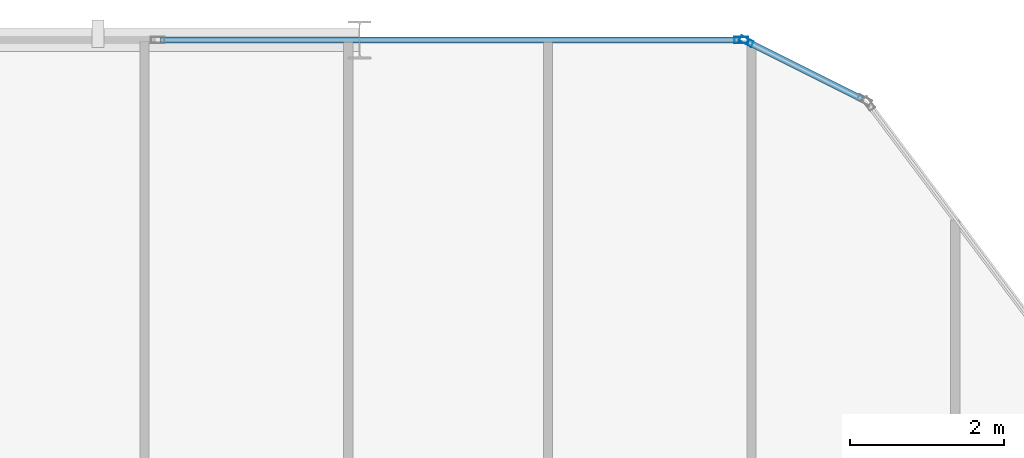
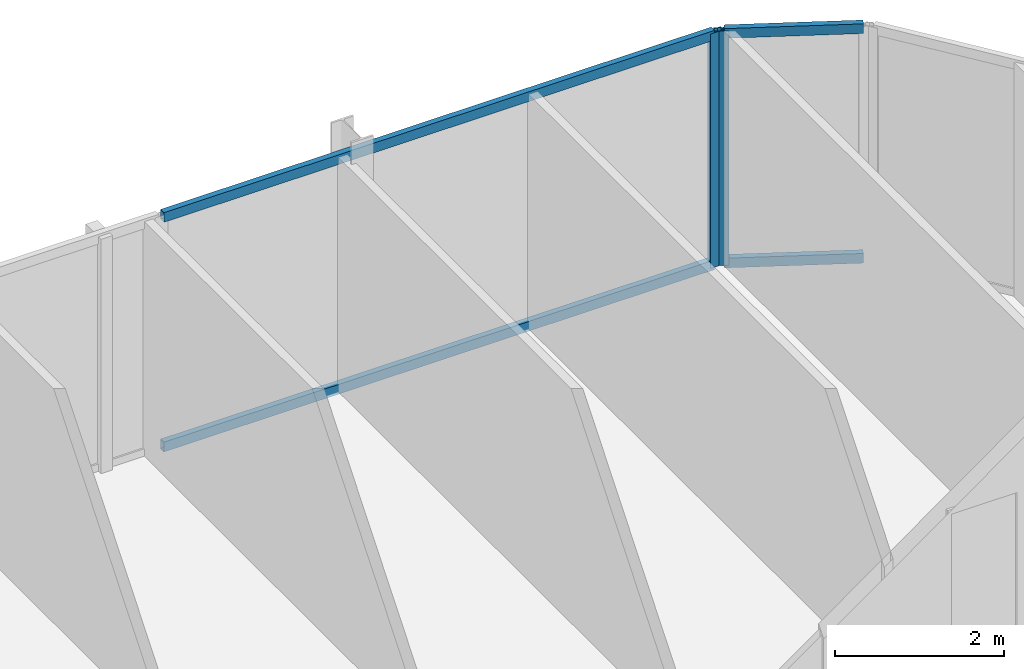
# One storey, part 21 of 31: 6 members, 2 elements without a shape of their own.
"""IFC4 building model written with IfcOpenShell, lengths in metres."""

from ifc_helpers import new_model, si_unit, direction, frame, origin, origin_2d, place, context, subcontext, project, spatial, hollow_rectangle, extrude, material, layer, layer_set, material_profile, profile_set, type_object, element, aggregate, save


model = new_model("IFC4")

# Units and contexts
model_context = context("Model", 3, precision=1e-05, world=origin(), true_north=direction((0.0, 1.0)))
body_context = subcontext(model_context, "Body", "Model", "MODEL_VIEW")
ifc_project = project(units=[si_unit("LENGTHUNIT", "METRE"), si_unit("AREAUNIT", "SQUARE_METRE"), si_unit("VOLUMEUNIT", "CUBIC_METRE"), si_unit("PLANEANGLEUNIT", "RADIAN"), si_unit("MASSUNIT", "GRAM", prefix="KILO")], contexts=[model_context])

# Site, building, storey
site_placement = place(None, origin())
site = spatial("IfcSite", under=ifc_project, at=site_placement, CompositionType="ELEMENT")
building_placement = place(site_placement, origin())
building = spatial("IfcBuilding", under=site, at=building_placement, Name="Keshet Zoharim Tower", CompositionType="ELEMENT")
storey_placement = place(building_placement, frame((0.0, 0.0, 140.89990234375)))
storey = spatial("IfcBuildingStorey", under=building, at=storey_placement, Name="L34", CompositionType="ELEMENT", Elevation=140.89990234375)

# Curtain wall, member
ifc_material = material(Name="Aluminium 6063-T6", Category="aluminium")
ifc_layer = layer(ifc_material, 0.159912109375)
ifc_layer_set = layer_set([ifc_layer], Name="Aluminium 6063-T6")
curtain_wall_type = type_object("IfcCurtainWallType", Name="CW-SYS-03", PredefinedType="NOTDEFINED", material=ifc_layer_set)
curtain_wall_1_placement = place(storey_placement, origin())
curtain_wall_1 = element("IfcCurtainWall", 1, at=curtain_wall_1_placement, inside=storey, type_object=curtain_wall_type, Name="L34 Unitised Curtain Wall 13 Part 5", PredefinedType="NOTDEFINED")
ifc_material_profile_1 = material_profile(ifc_material, hollow_rectangle(XDim=0.080078125, YDim=0.179931640625, WallThickness=0.00439453125, at=origin_2d()), Name="MUL-80x180")
ifc_profile_set_1 = profile_set([ifc_material_profile_1], Name="Aluminium 6063-T6")
member_type_1 = type_object("IfcMemberType", Name="CWM-M18", PredefinedType="MULLION", material=ifc_profile_set_1)
member_1_placement = place(storey_placement, frame((49.965087890625, 53.89990234375, 0.0), z_axis=(0.0, 0.0, 1.0), x_axis=(0.0, 1.0, 0.0)))
member_1 = element("IfcMember", 2, at=member_1_placement, type_object=member_type_1, Name="CW-03 mullion 3", PredefinedType="MULLION", context=body_context, shape_type="SweptSolid", body=[
    extrude(hollow_rectangle(XDim=0.080078125, YDim=0.179931640625, WallThickness=0.00439453125, at=origin_2d()), origin(), (0.0, 0.0, 1.0), 3.385009765625),
])

curtain_wall_2_placement = place(storey_placement, origin())
curtain_wall_2 = element("IfcCurtainWall", 3, at=curtain_wall_2_placement, inside=storey, type_object=curtain_wall_type, Name="L34 Unitised Curtain Wall 14", PredefinedType="NOTDEFINED")
member_2_placement = place(storey_placement, frame((50.03125, 53.88427734375, 0.0), z_axis=(0.0, 0.0, 1.0), x_axis=(0.447213595499, 0.894427191001, 0.0)))
member_2 = element("IfcMember", 4, at=member_2_placement, type_object=member_type_1, Name="CW-03 mullion 1", PredefinedType="MULLION", context=body_context, shape_type="SweptSolid", body=[
    extrude(hollow_rectangle(XDim=0.080078125, YDim=0.179931640625, WallThickness=0.00439453125, at=origin_2d()), origin(), (0.0, 0.0, 1.0), 3.385009765625),
])

# Member
ifc_material_profile_2 = material_profile(ifc_material, hollow_rectangle(XDim=0.080078125, YDim=0.139892578125, WallThickness=0.00390625, at=origin_2d()), Name="TRN-80x140")
ifc_profile_set_2 = profile_set([ifc_material_profile_2], Name="Aluminium 6063-T6")
member_type_2 = type_object("IfcMemberType", Name="CWT-T14", PredefinedType="USERDEFINED", material=ifc_profile_set_2)
member_3_placement = place(storey_placement, frame((42.408935546875, 53.89990234375, 0.03515625), z_axis=(1.0, 0.0, 0.0), x_axis=(0.0, 1.0, 0.0)))
member_3 = element("IfcMember", 5, at=member_3_placement, type_object=member_type_2, Name="CW-03 transom 2.1", ObjectType="TRANSOM", PredefinedType="USERDEFINED", context=body_context, shape_type="SweptSolid", body=[
    extrude(hollow_rectangle(XDim=0.080078125, YDim=0.139892578125, WallThickness=0.00390625, at=origin_2d()), origin(), (0.0, 0.0, 1.0), 7.52099609375),
])

member_4_placement = place(storey_placement, frame((42.408935546875, 53.89990234375, 3.35009765625), z_axis=(1.0, 0.0, 0.0), x_axis=(0.0, 1.0, 0.0)))
member_4 = element("IfcMember", 6, at=member_4_placement, type_object=member_type_2, Name="CW-03 transom 2.2", ObjectType="TRANSOM", PredefinedType="USERDEFINED", context=body_context, shape_type="SweptSolid", body=[
    extrude(hollow_rectangle(XDim=0.080078125, YDim=0.139892578125, WallThickness=0.00390625, at=origin_2d()), origin(), (0.0, 0.0, 1.0), 7.52099609375),
])

aggregate(curtain_wall_1, [member_1, member_3, member_4])

member_5_placement = place(storey_placement, frame((50.0625, 53.86865234375, 0.03515625), z_axis=(0.894456801911, -0.447154368775, 0.0), x_axis=(0.447154368775, 0.894456801911, 0.0)))
member_5 = element("IfcMember", 7, at=member_5_placement, type_object=member_type_2, Name="CW-03 transom 1.1", ObjectType="TRANSOM", PredefinedType="USERDEFINED", context=body_context, shape_type="SweptSolid", body=[
    extrude(hollow_rectangle(XDim=0.080078125, YDim=0.139892578125, WallThickness=0.00390625, at=origin_2d()), origin(), (0.0, 0.0, 1.0), 1.64892578125),
])

member_6_placement = place(storey_placement, frame((50.0625, 53.86865234375, 3.35009765625), z_axis=(0.894456801911, -0.447154368775, 0.0), x_axis=(0.447154368775, 0.894456801911, 0.0)))
member_6 = element("IfcMember", 8, at=member_6_placement, type_object=member_type_2, Name="CW-03 transom 1.2", ObjectType="TRANSOM", PredefinedType="USERDEFINED", context=body_context, shape_type="SweptSolid", body=[
    extrude(hollow_rectangle(XDim=0.080078125, YDim=0.139892578125, WallThickness=0.00390625, at=origin_2d()), origin(), (0.0, 0.0, 1.0), 1.64892578125),
])

aggregate(curtain_wall_2, [member_2, member_5, member_6])

save(model, "model.ifc")
